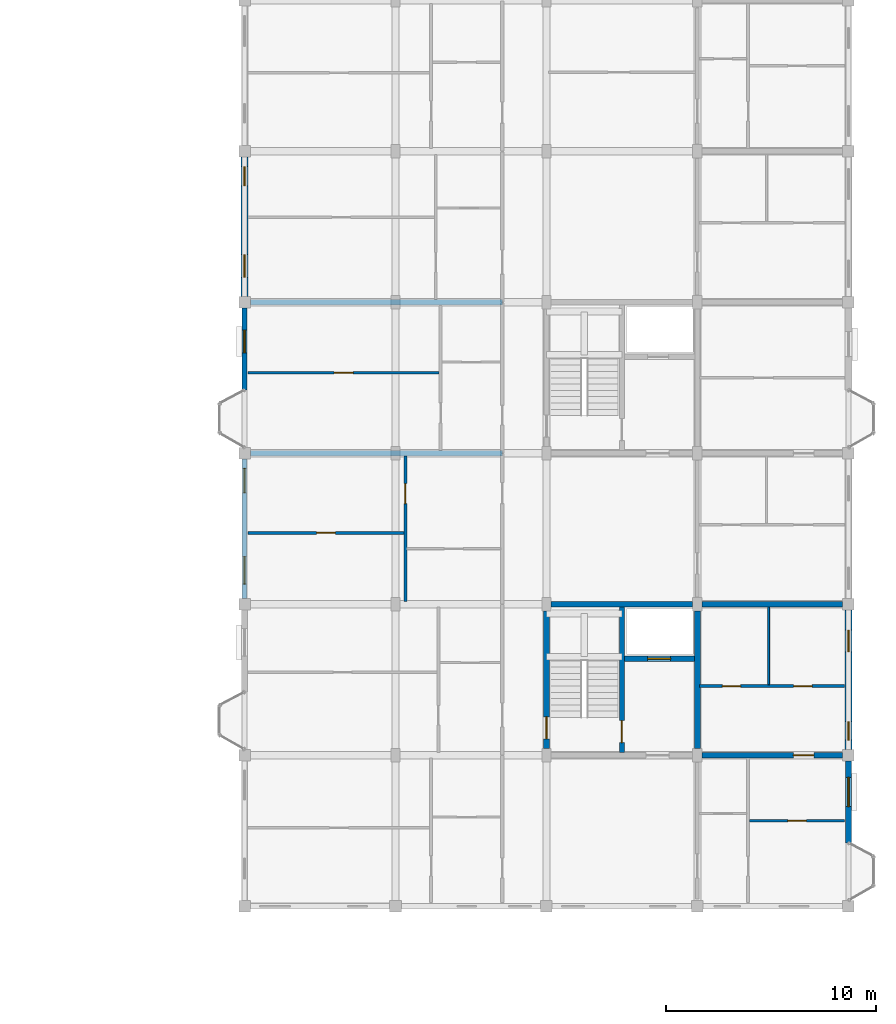
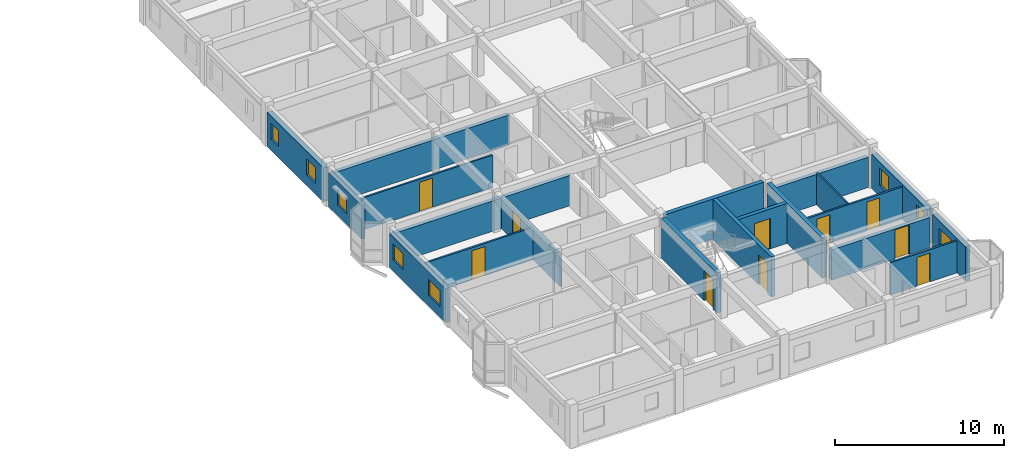
# One storey, part 61 of 77: 20 walls, 10 doors, 8 windows, 18 openings.
"""IFC4 building model written with IfcOpenShell, lengths in metres."""

import ifcopenshell
import ifcopenshell.guid

model = None  # the IFC model being written
_history = None  # IfcOwnerHistory: only IFC2X3 demands one
_inside = {}  # id of a spatial element -> (the spatial element, [elements in it])
_under = {}  # id of a project, library or spatial element -> (it, [spatial elements below it])
_declared = {}  # id of a project -> (the project, [libraries it declares])
_typed = {}  # id of a type object -> (the type object, [elements of that type])
_made_of = {}  # id of a material, layer set ... -> (it, [elements and type objects made of it])


def new_model(schema):
    """Start an empty IFC model of exactly this schema.

    Asked for "IFC4X3", IfcOpenShell would pick the latest addendum, in which some entities
    have other attributes; the version numbers below select the first issue.
    IFC2X3 requires an IfcOwnerHistory on every rooted entity: one is made here for all.
    """
    global model, _history
    if schema == "IFC4X3":
        model = ifcopenshell.file(schema_version=(4, 3, 0, 0))
    else:
        model = ifcopenshell.file(schema=schema)
    _inside.clear()
    _under.clear()
    _declared.clear()
    _typed.clear()
    _made_of.clear()
    _history = None
    if model.schema == "IFC2X3":
        org = make("IfcOrganization", Name="unknown")
        user = make(
            "IfcPersonAndOrganization",
            ThePerson=make("IfcPerson", FamilyName="unknown"),
            TheOrganization=org,
        )
        app = make(
            "IfcApplication",
            ApplicationDeveloper=org,
            Version="unknown",
            ApplicationFullName="unknown",
            ApplicationIdentifier="unknown",
        )
        _history = make(
            "IfcOwnerHistory",
            OwningUser=user,
            OwningApplication=app,
            ChangeAction="ADDED",
            CreationDate=0,
        )
    return model


def make(cls, **values):
    """One entity of the class cls with the attributes given. An attribute that is None is left unset."""
    return model.create_entity(
        cls, **{name: value for name, value in values.items() if value is not None}
    )


def rooted(cls, **values):
    """An entity with a GlobalId (a new one), such as an element, a storey or a relation."""
    return make(cls, GlobalId=ifcopenshell.guid.new(), OwnerHistory=_history, **values)


def si_unit(unit_type, name, prefix=None):
    """IfcSIUnit, for example si_unit("LENGTHUNIT", "METRE", prefix="MILLI")."""
    return make("IfcSIUnit", UnitType=unit_type, Prefix=prefix, Name=name)


def assignment(units):
    """IfcUnitAssignment: the units of a project."""
    return None if units is None else make("IfcUnitAssignment", Units=units)


def point(xyz):
    """IfcCartesianPoint."""
    return None if xyz is None else make("IfcCartesianPoint", Coordinates=xyz)


def direction(xyz):
    """IfcDirection."""
    return None if xyz is None else make("IfcDirection", DirectionRatios=xyz)


def frame(location, z_axis=None, x_axis=None):
    """IfcAxis2Placement3D, a coordinate frame: its origin and axes. An axis left out is left unset."""
    return make(
        "IfcAxis2Placement3D",
        Location=point(location),
        Axis=direction(z_axis),
        RefDirection=direction(x_axis),
    )


def frame_2d(location, x_axis=None):
    """IfcAxis2Placement2D, a coordinate frame in the plane: its origin and x axis."""
    return make(
        "IfcAxis2Placement2D", Location=point(location), RefDirection=direction(x_axis)
    )


def origin():
    """The frame at (0, 0, 0) with its axes left unset."""
    return frame((0.0, 0.0, 0.0))


def place(relative_to, where):
    """IfcLocalPlacement: puts the frame where relative to a parent placement (None: the world)."""
    return make(
        "IfcLocalPlacement", PlacementRelTo=relative_to, RelativePlacement=where
    )


def context(
    kind, dimensions, precision=None, world=None, true_north=None, identifier=None
):
    """IfcGeometricRepresentationContext, for example the 3D "Model" context."""
    return make(
        "IfcGeometricRepresentationContext",
        ContextIdentifier=identifier,
        ContextType=kind,
        CoordinateSpaceDimension=dimensions,
        Precision=precision,
        WorldCoordinateSystem=world,
        TrueNorth=true_north,
    )


def subcontext(parent, identifier, kind, view, scale=None):
    """IfcGeometricRepresentationSubContext, for example "Body" below "Model"."""
    return make(
        "IfcGeometricRepresentationSubContext",
        ContextIdentifier=identifier,
        ContextType=kind,
        ParentContext=parent,
        TargetScale=scale,
        TargetView=view,
    )


def project(units=None, contexts=None):
    """IfcProject with its units and contexts."""
    return rooted(
        "IfcProject",
        Name="project",
        RepresentationContexts=contexts,
        UnitsInContext=assignment(units),
    )


def spatial(cls, under=None, at=None, **own):
    """A site, building, storey or space (cls), placed at a placement, below another one or the project."""
    s = rooted(cls, ObjectPlacement=at, **own)
    if under is not None:
        _under.setdefault(under.id(), (under, []))[1].append(s)
    return s


def profile(cls, at=None, kind="AREA", **sizes):
    """A parametric profile (cls). Its sizes go by their IFC names, for example OverallWidth=200.0."""
    return make(cls, ProfileType=kind, Position=at, **sizes)


def rectangle(**sizes):
    """IfcRectangleProfileDef."""
    return profile("IfcRectangleProfileDef", **sizes)


def extrude(swept, where, along, depth):
    """IfcExtrudedAreaSolid: the profile swept, set in the frame where, extruded along a direction by depth."""
    return make(
        "IfcExtrudedAreaSolid",
        SweptArea=swept,
        Position=where,
        ExtrudedDirection=direction(along),
        Depth=depth,
    )


def shape(context_of_items, identifier, shape_type, items):
    """IfcShapeRepresentation: the items that make up one representation, for example the "Body"."""
    return make(
        "IfcShapeRepresentation",
        ContextOfItems=context_of_items,
        RepresentationIdentifier=identifier,
        RepresentationType=shape_type,
        Items=items,
    )


def material(Name=None, Category=None):
    """IfcMaterial."""
    return make("IfcMaterial", Name=Name, Category=Category)


def layer(
    of_material, thickness, ventilated=None, Name=None, Category=None, Priority=None
):
    """IfcMaterialLayer: one layer of a wall or slab, of a material (None: an air gap)."""
    return make(
        "IfcMaterialLayer",
        Material=of_material,
        LayerThickness=thickness,
        IsVentilated=ventilated,
        Name=Name,
        Category=Category,
        Priority=Priority,
    )


def layer_set(layers, Name=None):
    """IfcMaterialLayerSet."""
    return make("IfcMaterialLayerSet", MaterialLayers=layers, LayerSetName=Name)


def made_of(thing, what):
    """Note that an element or type object is made of a material, layer set ...; save() writes the relation."""
    if what is not None:
        _made_of.setdefault(what.id(), (what, []))[1].append(thing)
    return thing


def type_object(cls, material=None, **own):
    """A type object (cls), such as IfcWallType, which elements share."""
    return made_of(rooted(cls, **own), material)


def element(
    cls,
    number,
    at=None,
    inside=None,
    cuts=None,
    type_object=None,
    material=None,
    context=None,
    identifier="Body",
    shape_type=None,
    held_by="IfcProductDefinitionShape",
    body=None,
    shapes=None,
    **own,
):
    """One element of the class cls, such as IfcWall. Its Tag is "e" and its number.

    at: its placement. inside: the storey or other place that contains it. cuts: it is an
    opening in that element (IfcRelVoidsElement). A single representation is given by context,
    identifier, shape_type and body (its items); several are given by shapes. held_by: the class
    of the entity that holds the representations. save() writes the other relations.
    """
    e = rooted(cls, Tag="e%d" % number, ObjectPlacement=at, **own)
    if body is not None:
        shapes = [shape(context, identifier, shape_type, body)]
    if shapes is not None:
        e.Representation = make(held_by, Representations=shapes)
    if inside is not None:
        _inside.setdefault(inside.id(), (inside, []))[1].append(e)
    if cuts is not None:
        rooted(
            "IfcRelVoidsElement", RelatingBuildingElement=cuts, RelatedOpeningElement=e
        )
    if type_object is not None:
        _typed.setdefault(type_object.id(), (type_object, []))[1].append(e)
    return made_of(e, material)


def fill(opening, filler):
    """IfcRelFillsElement: the door or window that sits in an opening."""
    return rooted(
        "IfcRelFillsElement",
        RelatingOpeningElement=opening,
        RelatedBuildingElement=filler,
    )


def aggregate(whole, parts):
    """IfcRelAggregates: a whole, such as a stair, and the parts it consists of."""
    return rooted("IfcRelAggregates", RelatingObject=whole, RelatedObjects=parts)


def save(model, path):
    """Write the relations noted so far, then the file.

    IfcRelAggregates (storeys below a building ...), IfcRelContainedInSpatialStructure (elements
    in a storey), IfcRelDefinesByType, IfcRelAssociatesMaterial and IfcRelDeclares: one each for
    every whole, place, type object, material and project.
    """
    for whole, parts in _under.values():
        aggregate(whole, parts)
    for where, things in _inside.values():
        rooted(
            "IfcRelContainedInSpatialStructure",
            RelatedElements=things,
            RelatingStructure=where,
        )
    for kind, things in _typed.values():
        rooted("IfcRelDefinesByType", RelatedObjects=things, RelatingType=kind)
    for what, things in _made_of.values():
        rooted("IfcRelAssociatesMaterial", RelatedObjects=things, RelatingMaterial=what)
    for by, libraries in _declared.values():
        rooted("IfcRelDeclares", RelatingContext=by, RelatedDefinitions=libraries)
    model.write(path)


model = new_model("IFC4")

# Units and contexts
model_context = context("Model", 3, precision=1e-05, world=origin(), true_north=direction((0.0, 1.0)))
body_context = subcontext(model_context, "Body", "Model", "MODEL_VIEW")
ifc_project = project(units=[si_unit("LENGTHUNIT", "METRE"), si_unit("AREAUNIT", "SQUARE_METRE"), si_unit("VOLUMEUNIT", "CUBIC_METRE"), si_unit("PLANEANGLEUNIT", "RADIAN"), si_unit("MASSUNIT", "GRAM", prefix="KILO"), si_unit("THERMODYNAMICTEMPERATUREUNIT", "KELVIN"), si_unit("POWERUNIT", "WATT")], contexts=[model_context])

# Site, building, storey
site_placement = place(None, origin())
site = spatial("IfcSite", under=ifc_project, at=site_placement, CompositionType="ELEMENT")
building_placement = place(site_placement, origin())
building = spatial("IfcBuilding", under=site, at=building_placement, Name="Tavuni Mirador Residences", CompositionType="ELEMENT")
storey_placement = place(building_placement, frame((0.0, 0.0, 10.800048828125)))
storey = spatial("IfcBuildingStorey", under=building, at=storey_placement, Name="L03", CompositionType="ELEMENT", Elevation=10.800048828125)

# Wall, opening, door
ifc_material_1 = material(Name="Precast concrete C40/50", Category="concrete")
ifc_layer_1 = layer(ifc_material_1, 0.25, Name="Precast concrete C40/50", Category="concrete")
ifc_layer_set_1 = layer_set([ifc_layer_1], Name="Precast concrete C40/50")
wall_type_1 = type_object("IfcWallType", Name="WT-COR250", PredefinedType="SHEAR", material=ifc_layer_set_1)
wall_1_placement = place(storey_placement, frame((108.0, 93.739990234375, 0.0), z_axis=(0.0, 0.0, 1.0), x_axis=(0.0, 1.0, 0.0)))
wall_1 = element("IfcWall", 1, at=wall_1_placement, inside=storey, type_object=wall_type_1, Name="CWALL-C7-L03-MID", PredefinedType="SHEAR", context=body_context, shape_type="SweptSolid", body=[
    extrude(rectangle(XDim=6.919921875, YDim=0.25, at=frame_2d((3.4599609375, 0.0))), origin(), (0.0, 0.0, 1.0), 2.889892578125),
])
opening_1_placement = place(wall_1_placement, frame((0.4599609375, 0.0, 0.0)))
opening_1 = element("IfcOpeningElement", 2, at=opening_1_placement, cuts=wall_1, Name="Opening D-01", PredefinedType="OPENING", context=body_context, shape_type="SweptSolid", body=[
    extrude(rectangle(XDim=1.050048828125, YDim=2.14990234375, at=frame_2d((0.52490234375, 1.074951171875))), frame((0.0, 0.135009765625, 0.0), z_axis=(0.0, -1.0, 0.0), x_axis=(1.0, 0.0, 0.0)), (0.0, 0.0, 1.0), 0.27001953125),
])
ifc_material_2 = material(Name="Solid core iroko timber", Category="wood")
door_type_1 = type_object("IfcDoorType", Name="DT-ST1050", OperationType="NOTDEFINED", PredefinedType="DOOR", material=ifc_material_2)
door_1_placement = place(opening_1_placement, origin())
door_1 = element("IfcDoor", 3, at=door_1_placement, inside=storey, type_object=door_type_1, Name="DR-2279", OperationType="SINGLE_SWING_LEFT", OverallHeight=2.14990234375, OverallWidth=1.050048828125, PredefinedType="DOOR", context=body_context, shape_type="SweptSolid", body=[
    extrude(rectangle(XDim=1.050048828125, YDim=2.14990234375, at=frame_2d((0.52490234375, 1.074951171875))), frame((0.0, 0.02490234375, 0.0), z_axis=(0.0, -1.0, 0.0), x_axis=(1.0, 0.0, 0.0)), (0.0, 0.0, 1.0), 0.050048828125),
])
fill(opening_1, door_1)

wall_2_placement = place(storey_placement, frame((108.125, 98.199951171875, 0.0), z_axis=(0.0, 0.0, 1.0), x_axis=(1.0, 0.0, 0.0)))
wall_2 = element("IfcWall", 4, at=wall_2_placement, inside=storey, type_object=wall_type_1, Name="CWALL-C7-L03-SHF", PredefinedType="SHEAR", context=body_context, shape_type="SweptSolid", body=[
    extrude(rectangle(XDim=3.3349609375, YDim=0.25, at=frame_2d((1.66748046875, 0.0))), origin(), (0.0, 0.0, 1.0), 2.889892578125),
])
opening_2_placement = place(wall_2_placement, frame((1.10009765625, 0.0, 0.0)))
opening_2 = element("IfcOpeningElement", 5, at=opening_2_placement, cuts=wall_2, Name="Opening LD-01", PredefinedType="OPENING", context=body_context, shape_type="SweptSolid", body=[
    extrude(rectangle(XDim=1.10009765625, YDim=2.199951171875, at=frame_2d((0.550048828125, 1.10009765625))), frame((0.0, 0.135009765625, 0.0), z_axis=(0.0, -1.0, 0.0), x_axis=(1.0, 0.0, 0.0)), (0.0, 0.0, 1.0), 0.27001953125),
])
ifc_material_3 = material(Name="Structural steel S355", Category="steel")
door_type_2 = type_object("IfcDoorType", Name="DT-LD-FF", OperationType="SLIDING_TO_LEFT", PredefinedType="DOOR", material=ifc_material_3)
door_2_placement = place(opening_2_placement, origin())
door_2 = element("IfcDoor", 6, at=door_2_placement, inside=storey, type_object=door_type_2, Name="Lift landing door FL-D1 L03", OperationType="SLIDING_TO_LEFT", OverallHeight=2.199951171875, OverallWidth=1.10009765625, PredefinedType="DOOR", context=body_context, shape_type="SweptSolid", body=[
    extrude(rectangle(XDim=1.10009765625, YDim=2.199951171875, at=frame_2d((0.550048828125, 1.10009765625))), frame((0.0, 0.02490234375, 0.0), z_axis=(0.0, -1.0, 0.0), x_axis=(1.0, 0.0, 0.0)), (0.0, 0.0, 1.0), 0.050048828125),
])
fill(opening_2, door_2)

ifc_layer_2 = layer(ifc_material_1, 0.280029296875, Name="Precast concrete C40/50", Category="concrete")
ifc_layer_set_2 = layer_set([ifc_layer_2], Name="Precast concrete C40/50")
wall_type_2 = type_object("IfcWallType", Name="WT-COR280", PredefinedType="SHEAR", material=ifc_layer_set_2)
wall_3_placement = place(storey_placement, frame((104.39990234375, 93.925048828125, 0.0), z_axis=(0.0, 0.0, 1.0), x_axis=(0.0, 1.0, 0.0)))
wall_3 = element("IfcWall", 7, at=wall_3_placement, inside=storey, type_object=wall_type_2, Name="CWALL-C7-L03-W", PredefinedType="SHEAR", context=body_context, shape_type="SweptSolid", body=[
    extrude(rectangle(XDim=6.550048828125, YDim=0.280029296875, at=frame_2d((3.27490234375, 0.0))), origin(), (0.0, 0.0, 1.0), 2.889892578125),
])
opening_3_placement = place(wall_3_placement, frame((0.449951171875, 0.0, 0.0)))
opening_3 = element("IfcOpeningElement", 8, at=opening_3_placement, cuts=wall_3, Name="Opening D-01", PredefinedType="OPENING", context=body_context, shape_type="SweptSolid", body=[
    extrude(rectangle(XDim=1.050048828125, YDim=2.14990234375, at=frame_2d((0.52490234375, 1.074951171875))), frame((0.0, 0.14990234375, 0.0), z_axis=(0.0, -1.0, 0.0), x_axis=(1.0, 0.0, 0.0)), (0.0, 0.0, 1.0), 0.300048828125),
])
door_3_placement = place(opening_3_placement, origin())
door_3 = element("IfcDoor", 9, at=door_3_placement, inside=storey, type_object=door_type_1, Name="DR-2277", OperationType="SINGLE_SWING_RIGHT", OverallHeight=2.14990234375, OverallWidth=1.050048828125, PredefinedType="DOOR", context=body_context, shape_type="SweptSolid", body=[
    extrude(rectangle(XDim=1.050048828125, YDim=2.14990234375, at=frame_2d((0.52490234375, 1.074951171875))), frame((0.0, 0.02490234375, 0.0), z_axis=(0.0, -1.0, 0.0), x_axis=(1.0, 0.0, 0.0)), (0.0, 0.0, 1.0), 0.050048828125),
])
fill(opening_3, door_3)

# Walls
wall_4_placement = place(storey_placement, frame((104.625, 100.800048828125, 0.0), z_axis=(0.0, 0.0, 1.0), x_axis=(1.0, 0.0, 0.0)))
element("IfcWall", 10, at=wall_4_placement, inside=storey, type_object=wall_type_2, Name="CWALL-C7-L03-N", PredefinedType="SHEAR", context=body_context, shape_type="SweptSolid", body=[
    extrude(rectangle(XDim=6.75, YDim=0.280029296875, at=frame_2d((3.375, 0.0))), origin(), (0.0, 0.0, 1.0), 2.889892578125),
])
wall_5_placement = place(storey_placement, frame((111.60009765625, 93.925048828125, 0.0), z_axis=(0.0, 0.0, 1.0), x_axis=(0.0, 1.0, 0.0)))
element("IfcWall", 11, at=wall_5_placement, inside=storey, type_object=wall_type_2, Name="CWALL-C7-L03-E", PredefinedType="SHEAR", context=body_context, shape_type="SweptSolid", body=[
    extrude(rectangle(XDim=6.550048828125, YDim=0.280029296875, at=frame_2d((3.27490234375, 0.0))), origin(), (0.0, 0.0, 1.0), 2.889892578125),
])

# Wall, openings, windows
ifc_layer_3 = layer(ifc_material_1, 0.330078125, Name="Precast concrete C40/50", Category="concrete")
ifc_layer_set_3 = layer_set([ifc_layer_3], Name="Precast concrete C40/50")
wall_type_3 = type_object("IfcWallType", Name="WT-EXT-COR330", PredefinedType="SOLIDWALL", material=ifc_layer_set_3)
wall_6_placement = place(storey_placement, frame((90.0, 122.125, 0.0), z_axis=(0.0, 0.0, 1.0), x_axis=(0.0, -1.0, 0.0)))
wall_6 = element("IfcWall", 12, at=wall_6_placement, inside=storey, type_object=wall_type_3, Name="EW-BLK-D-L03-W04", PredefinedType="SOLIDWALL", context=body_context, shape_type="SweptSolid", body=[
    extrude(rectangle(XDim=6.64990234375, YDim=0.330078125, at=frame_2d((3.324951171875, 0.0))), origin(), (0.0, 0.0, 1.0), 2.4599609375),
])
opening_4_placement = place(wall_6_placement, frame((0.449951171875, 0.0, 0.780029296875)))
opening_4 = element("IfcOpeningElement", 13, at=opening_4_placement, cuts=wall_6, Name="Opening WN-02", PredefinedType="OPENING", context=body_context, shape_type="SweptSolid", body=[
    extrude(rectangle(XDim=0.919921875, YDim=1.14990234375, at=frame_2d((0.4599609375, 0.574951171875))), frame((0.0, 0.175048828125, 0.0), z_axis=(0.0, -1.0, 0.0), x_axis=(1.0, 0.0, 0.0)), (0.0, 0.0, 1.0), 0.35009765625),
])
opening_5_placement = place(wall_6_placement, frame((4.64990234375, 0.0, 0.780029296875)))
opening_5 = element("IfcOpeningElement", 14, at=opening_5_placement, cuts=wall_6, Name="Opening WN-04", PredefinedType="OPENING", context=body_context, shape_type="SweptSolid", body=[
    extrude(rectangle(XDim=1.080078125, YDim=1.14990234375, at=frame_2d((0.5400390625, 0.574951171875))), frame((0.0, 0.175048828125, 0.0), z_axis=(0.0, -1.0, 0.0), x_axis=(1.0, 0.0, 0.0)), (0.0, 0.0, 1.0), 0.35009765625),
])
ifc_material_4 = material(Name="Laminated solar-control glass", Category="glass")
window_type_1 = type_object("IfcWindowType", Name="WNT-02", PartitioningType="SINGLE_PANEL", PredefinedType="WINDOW", material=ifc_material_4)
window_1_placement = place(opening_4_placement, origin())
window_1 = element("IfcWindow", 15, at=window_1_placement, inside=storey, type_object=window_type_1, Name="WIN-1558", OverallHeight=1.14990234375, OverallWidth=0.919921875, PartitioningType="SINGLE_PANEL", PredefinedType="WINDOW", context=body_context, shape_type="SweptSolid", body=[
    extrude(rectangle(XDim=0.919921875, YDim=1.14990234375, at=frame_2d((0.4599609375, 0.574951171875))), frame((0.0, 0.030029296875, 0.0), z_axis=(0.0, -1.0, 0.0), x_axis=(1.0, 0.0, 0.0)), (0.0, 0.0, 1.0), 0.06005859375),
])
fill(opening_4, window_1)
window_type_2 = type_object("IfcWindowType", Name="WNT-04", PartitioningType="SINGLE_PANEL", PredefinedType="WINDOW", material=ifc_material_4)
window_2_placement = place(opening_5_placement, origin())
window_2 = element("IfcWindow", 16, at=window_2_placement, inside=storey, type_object=window_type_2, Name="WIN-1559", OverallHeight=1.14990234375, OverallWidth=1.080078125, PartitioningType="SINGLE_PANEL", PredefinedType="WINDOW", context=body_context, shape_type="SweptSolid", body=[
    extrude(rectangle(XDim=1.080078125, YDim=1.14990234375, at=frame_2d((0.5400390625, 0.574951171875))), frame((0.0, 0.030029296875, 0.0), z_axis=(0.0, -1.0, 0.0), x_axis=(1.0, 0.0, 0.0)), (0.0, 0.0, 1.0), 0.06005859375),
])
fill(opening_5, window_2)

# Wall, opening, window
ifc_material_5 = material(Name="Sgraffito lime-rendered precast concrete C40/50", Category="concrete")
ifc_layer_4 = layer(ifc_material_5, 0.2451171875, Name="Sgraffito lime-rendered precast concrete C40/50", Category="concrete")
ifc_layer_set_4 = layer_set([ifc_layer_4], Name="Sgraffito lime-rendered precast concrete C40/50")
wall_type_4 = type_object("IfcWallType", Name="WT-EXT-PC245", PredefinedType="SOLIDWALL", material=ifc_layer_set_4)
wall_7_placement = place(storey_placement, frame((90.0, 114.925048828125, 0.0), z_axis=(0.0, 0.0, 1.0), x_axis=(0.0, -1.0, 0.0)))
wall_7 = element("IfcWall", 17, at=wall_7_placement, inside=storey, type_object=wall_type_4, Name="EW-BLK-D-L03-W03", PredefinedType="SOLIDWALL", context=body_context, shape_type="SweptSolid", body=[
    extrude(rectangle(XDim=3.905029296875, YDim=0.2451171875, at=frame_2d((1.95263671875, 0.0))), origin(), (0.0, 0.0, 1.0), 2.4599609375),
])
opening_6_placement = place(wall_7_placement, frame((1.052490234375, 0.0, 0.780029296875)))
opening_6 = element("IfcOpeningElement", 18, at=opening_6_placement, cuts=wall_7, Name="Opening WN-04", PredefinedType="OPENING", context=body_context, shape_type="SweptSolid", body=[
    extrude(rectangle(XDim=1.080078125, YDim=1.14990234375, at=frame_2d((0.5400390625, 0.574951171875))), frame((0.0, 0.132568359375, 0.0), z_axis=(0.0, -1.0, 0.0), x_axis=(1.0, 0.0, 0.0)), (0.0, 0.0, 1.0), 0.26513671875),
])
window_3_placement = place(opening_6_placement, origin())
window_3 = element("IfcWindow", 19, at=window_3_placement, inside=storey, type_object=window_type_2, Name="WIN-1560", OverallHeight=1.14990234375, OverallWidth=1.080078125, PartitioningType="SINGLE_PANEL", PredefinedType="WINDOW", context=body_context, shape_type="SweptSolid", body=[
    extrude(rectangle(XDim=1.080078125, YDim=1.14990234375, at=frame_2d((0.5400390625, 0.574951171875))), frame((0.0, 0.030029296875, 0.0), z_axis=(0.0, -1.0, 0.0), x_axis=(1.0, 0.0, 0.0)), (0.0, 0.0, 1.0), 0.06005859375),
])
fill(opening_6, window_3)

# Wall, openings, windows
ifc_layer_5 = layer(ifc_material_5, 0.2548828125, Name="Sgraffito lime-rendered precast concrete C40/50", Category="concrete")
ifc_layer_set_5 = layer_set([ifc_layer_5], Name="Sgraffito lime-rendered precast concrete C40/50")
wall_type_5 = type_object("IfcWallType", Name="WT-EXT-PC255", PredefinedType="SOLIDWALL", material=ifc_layer_set_5)
wall_8_placement = place(storey_placement, frame((90.0, 107.72509765625, 0.0), z_axis=(0.0, 0.0, 1.0), x_axis=(0.0, -1.0, 0.0)))
wall_8 = element("IfcWall", 20, at=wall_8_placement, inside=storey, type_object=wall_type_5, Name="EW-BLK-D-L03-W02", PredefinedType="SOLIDWALL", context=body_context, shape_type="SweptSolid", body=[
    extrude(rectangle(XDim=6.650146484375, YDim=0.2548828125, at=frame_2d((3.3251953125, 0.0))), origin(), (0.0, 0.0, 1.0), 2.4599609375),
])
opening_7_placement = place(wall_8_placement, frame((0.449951171875, 0.0, 0.780029296875)))
opening_7 = element("IfcOpeningElement", 21, at=opening_7_placement, cuts=wall_8, Name="Opening WN-05", PredefinedType="OPENING", context=body_context, shape_type="SweptSolid", body=[
    extrude(rectangle(XDim=1.159912109375, YDim=1.14990234375, at=frame_2d((0.580078125, 0.574951171875))), frame((0.0, 0.137451171875, 0.0), z_axis=(0.0, -1.0, 0.0), x_axis=(1.0, 0.0, 0.0)), (0.0, 0.0, 1.0), 0.27490234375),
])
opening_8_placement = place(wall_8_placement, frame((4.64990234375, 0.0, 0.780029296875)))
opening_8 = element("IfcOpeningElement", 22, at=opening_8_placement, cuts=wall_8, Name="Opening WN-07", PredefinedType="OPENING", context=body_context, shape_type="SweptSolid", body=[
    extrude(rectangle(XDim=1.320068359375, YDim=1.14990234375, at=frame_2d((0.66015625, 0.574951171875))), frame((0.0, 0.137451171875, 0.0), z_axis=(0.0, -1.0, 0.0), x_axis=(1.0, 0.0, 0.0)), (0.0, 0.0, 1.0), 0.27490234375),
])
window_type_3 = type_object("IfcWindowType", Name="WNT-05", PartitioningType="SINGLE_PANEL", PredefinedType="WINDOW", material=ifc_material_4)
window_4_placement = place(opening_7_placement, origin())
window_4 = element("IfcWindow", 23, at=window_4_placement, inside=storey, type_object=window_type_3, Name="WIN-1561", OverallHeight=1.14990234375, OverallWidth=1.159912109375, PartitioningType="SINGLE_PANEL", PredefinedType="WINDOW", context=body_context, shape_type="SweptSolid", body=[
    extrude(rectangle(XDim=1.159912109375, YDim=1.14990234375, at=frame_2d((0.580078125, 0.574951171875))), frame((0.0, 0.030029296875, 0.0), z_axis=(0.0, -1.0, 0.0), x_axis=(1.0, 0.0, 0.0)), (0.0, 0.0, 1.0), 0.06005859375),
])
fill(opening_7, window_4)
window_type_4 = type_object("IfcWindowType", Name="WNT-07", PartitioningType="SINGLE_PANEL", PredefinedType="WINDOW", material=ifc_material_4)
window_5_placement = place(opening_8_placement, origin())
window_5 = element("IfcWindow", 24, at=window_5_placement, inside=storey, type_object=window_type_4, Name="WIN-1562", OverallHeight=1.14990234375, OverallWidth=1.320068359375, PartitioningType="SINGLE_PANEL", PredefinedType="WINDOW", context=body_context, shape_type="SweptSolid", body=[
    extrude(rectangle(XDim=1.320068359375, YDim=1.14990234375, at=frame_2d((0.66015625, 0.574951171875))), frame((0.0, 0.030029296875, 0.0), z_axis=(0.0, -1.0, 0.0), x_axis=(1.0, 0.0, 0.0)), (0.0, 0.0, 1.0), 0.06005859375),
])
fill(opening_8, window_5)

# Wall, opening, window
ifc_layer_6 = layer(ifc_material_5, 0.2900390625, Name="Sgraffito lime-rendered precast concrete C40/50", Category="concrete")
ifc_layer_set_6 = layer_set([ifc_layer_6], Name="Sgraffito lime-rendered precast concrete C40/50")
wall_type_6 = type_object("IfcWallType", Name="WT-EXT-PC290", PredefinedType="SOLIDWALL", material=ifc_layer_set_6)
wall_9_placement = place(storey_placement, frame((118.800048828125, 89.419921875, 0.0), z_axis=(0.0, 0.0, 1.0), x_axis=(0.0, 1.0, 0.0)))
wall_9 = element("IfcWall", 25, at=wall_9_placement, inside=storey, type_object=wall_type_6, Name="EW-BLK-D-L03-E00", PredefinedType="SOLIDWALL", context=body_context, shape_type="SweptSolid", body=[
    extrude(rectangle(XDim=3.905029296875, YDim=0.2900390625, at=frame_2d((1.95263671875, 0.0))), origin(), (0.0, 0.0, 1.0), 2.4599609375),
])
opening_9_placement = place(wall_9_placement, frame((1.7275390625, 0.0, 0.780029296875)))
opening_9 = element("IfcOpeningElement", 26, at=opening_9_placement, cuts=wall_9, Name="Opening WN-08", PredefinedType="OPENING", context=body_context, shape_type="SweptSolid", body=[
    extrude(rectangle(XDim=1.39990234375, YDim=1.14990234375, at=frame_2d((0.699951171875, 0.574951171875))), frame((0.0, 0.155029296875, 0.0), z_axis=(0.0, -1.0, 0.0), x_axis=(1.0, 0.0, 0.0)), (0.0, 0.0, 1.0), 0.31005859375),
])
window_type_5 = type_object("IfcWindowType", Name="WNT-08", PartitioningType="SINGLE_PANEL", PredefinedType="WINDOW", material=ifc_material_4)
window_6_placement = place(opening_9_placement, origin())
window_6 = element("IfcWindow", 27, at=window_6_placement, inside=storey, type_object=window_type_5, Name="WIN-1534", OverallHeight=1.14990234375, OverallWidth=1.39990234375, PartitioningType="SINGLE_PANEL", PredefinedType="WINDOW", context=body_context, shape_type="SweptSolid", body=[
    extrude(rectangle(XDim=1.39990234375, YDim=1.14990234375, at=frame_2d((0.699951171875, 0.574951171875))), frame((0.0, 0.030029296875, 0.0), z_axis=(0.0, -1.0, 0.0), x_axis=(1.0, 0.0, 0.0)), (0.0, 0.0, 1.0), 0.06005859375),
])
fill(opening_9, window_6)

# Wall, openings, windows
ifc_layer_7 = layer(ifc_material_5, 0.344970703125, Name="Sgraffito lime-rendered precast concrete C40/50", Category="concrete")
ifc_layer_set_7 = layer_set([ifc_layer_7], Name="Sgraffito lime-rendered precast concrete C40/50")
wall_type_7 = type_object("IfcWallType", Name="WT-EXT-PTY345", PredefinedType="SOLIDWALL", material=ifc_layer_set_7)
wall_10_placement = place(storey_placement, frame((118.800048828125, 93.875, 0.0), z_axis=(0.0, 0.0, 1.0), x_axis=(0.0, 1.0, 0.0)))
wall_10 = element("IfcWall", 28, at=wall_10_placement, inside=storey, type_object=wall_type_7, Name="EW-BLK-D-L03-E01", PredefinedType="SOLIDWALL", context=body_context, shape_type="SweptSolid", body=[
    extrude(rectangle(XDim=6.64990234375, YDim=0.344970703125, at=frame_2d((3.324951171875, 0.0))), origin(), (0.0, 0.0, 1.0), 2.4599609375),
])
opening_10_placement = place(wall_10_placement, frame((0.449951171875, 0.0, 0.780029296875)))
opening_10 = element("IfcOpeningElement", 29, at=opening_10_placement, cuts=wall_10, Name="Opening WN-09", PredefinedType="OPENING", context=body_context, shape_type="SweptSolid", body=[
    extrude(rectangle(XDim=0.8798828125, YDim=1.260009765625, at=frame_2d((0.43994140625, 0.6298828125))), frame((0.0, 0.1826171875, 0.0), z_axis=(0.0, -1.0, 0.0), x_axis=(1.0, 0.0, 0.0)), (0.0, 0.0, 1.0), 0.364990234375),
])
opening_11_placement = place(wall_10_placement, frame((4.64990234375, 0.0, 0.780029296875)))
opening_11 = element("IfcOpeningElement", 30, at=opening_11_placement, cuts=wall_10, Name="Opening WN-11", PredefinedType="OPENING", context=body_context, shape_type="SweptSolid", body=[
    extrude(rectangle(XDim=1.0400390625, YDim=1.260009765625, at=frame_2d((0.52001953125, 0.6298828125))), frame((0.0, 0.1826171875, 0.0), z_axis=(0.0, -1.0, 0.0), x_axis=(1.0, 0.0, 0.0)), (0.0, 0.0, 1.0), 0.364990234375),
])
window_type_6 = type_object("IfcWindowType", Name="WNT-09", PartitioningType="SINGLE_PANEL", PredefinedType="WINDOW", material=ifc_material_4)
window_7_placement = place(opening_10_placement, origin())
window_7 = element("IfcWindow", 31, at=window_7_placement, inside=storey, type_object=window_type_6, Name="WIN-1535", OverallHeight=1.260009765625, OverallWidth=0.8798828125, PartitioningType="SINGLE_PANEL", PredefinedType="WINDOW", context=body_context, shape_type="SweptSolid", body=[
    extrude(rectangle(XDim=0.8798828125, YDim=1.260009765625, at=frame_2d((0.43994140625, 0.6298828125))), frame((0.0, 0.030029296875, 0.0), z_axis=(0.0, -1.0, 0.0), x_axis=(1.0, 0.0, 0.0)), (0.0, 0.0, 1.0), 0.06005859375),
])
fill(opening_10, window_7)
window_type_7 = type_object("IfcWindowType", Name="WNT-11", PartitioningType="SINGLE_PANEL", PredefinedType="WINDOW", material=ifc_material_4)
window_8_placement = place(opening_11_placement, origin())
window_8 = element("IfcWindow", 32, at=window_8_placement, inside=storey, type_object=window_type_7, Name="WIN-1536", OverallHeight=1.260009765625, OverallWidth=1.0400390625, PartitioningType="SINGLE_PANEL", PredefinedType="WINDOW", context=body_context, shape_type="SweptSolid", body=[
    extrude(rectangle(XDim=1.0400390625, YDim=1.260009765625, at=frame_2d((0.52001953125, 0.6298828125))), frame((0.0, 0.030029296875, 0.0), z_axis=(0.0, -1.0, 0.0), x_axis=(1.0, 0.0, 0.0)), (0.0, 0.0, 1.0), 0.06005859375),
])
fill(opening_11, window_8)

# Wall
ifc_material_6 = material(Name="Acoustic gypsum and concrete block partition", Category="concrete")
ifc_layer_8 = layer(ifc_material_6, 0.094970703125, Name="Acoustic gypsum and concrete block partition", Category="concrete")
ifc_layer_set_8 = layer_set([ifc_layer_8], Name="Acoustic gypsum and concrete block partition")
wall_type_8 = type_object("IfcWallType", Name="WT-PART095", PredefinedType="PARTITIONING", material=ifc_layer_set_8)
wall_11_placement = place(storey_placement, frame((115.0, 96.969970703125, 0.0), z_axis=(0.0, 0.0, 1.0), x_axis=(0.0, 1.0, 0.0)))
element("IfcWall", 33, at=wall_11_placement, inside=storey, type_object=wall_type_8, Name="PW-BLK-D-L03-PF01-V", PredefinedType="PARTITIONING", context=body_context, shape_type="SweptSolid", body=[
    extrude(rectangle(XDim=3.68994140625, YDim=0.094970703125, at=frame_2d((1.844970703125, 0.0))), origin(), (0.0, 0.0, 1.0), 2.324951171875),
])

# Wall, opening, door
ifc_layer_9 = layer(ifc_material_6, 0.114990234375, Name="Acoustic gypsum and concrete block partition", Category="concrete")
ifc_layer_set_9 = layer_set([ifc_layer_9], Name="Acoustic gypsum and concrete block partition")
wall_type_9 = type_object("IfcWallType", Name="WT-PART115", PredefinedType="PARTITIONING", material=ifc_layer_set_9)
wall_12_placement = place(storey_placement, frame((90.175048828125, 111.85009765625, 0.0), z_axis=(0.0, 0.0, 1.0), x_axis=(1.0, 0.0, 0.0)))
wall_12 = element("IfcWall", 34, at=wall_12_placement, inside=storey, type_object=wall_type_9, Name="PW-BLK-D-L03-W03-OUT", PredefinedType="PARTITIONING", context=body_context, shape_type="SweptSolid", body=[
    extrude(rectangle(XDim=9.10498046875, YDim=0.114990234375, at=frame_2d((4.552490234375, 0.0))), origin(), (0.0, 0.0, 1.0), 2.324951171875),
])
opening_12_placement = place(wall_12_placement, frame((4.1025390625, 0.0, 0.0)))
opening_12 = element("IfcOpeningElement", 35, at=opening_12_placement, cuts=wall_12, Name="Opening D-07", PredefinedType="OPENING", context=body_context, shape_type="SweptSolid", body=[
    extrude(rectangle(XDim=0.89990234375, YDim=2.10009765625, at=frame_2d((0.449951171875, 1.050048828125))), frame((0.0, 0.0673828125, 0.0), z_axis=(0.0, -1.0, 0.0), x_axis=(1.0, 0.0, 0.0)), (0.0, 0.0, 1.0), 0.135009765625),
])
door_type_3 = type_object("IfcDoorType", Name="DT-BED900", OperationType="NOTDEFINED", PredefinedType="DOOR", material=ifc_material_2)
door_4_placement = place(opening_12_placement, origin())
door_4 = element("IfcDoor", 36, at=door_4_placement, inside=storey, type_object=door_type_3, Name="DR-4408", OperationType="SINGLE_SWING_LEFT", OverallHeight=2.10009765625, OverallWidth=0.89990234375, PredefinedType="DOOR", context=body_context, shape_type="SweptSolid", body=[
    extrude(rectangle(XDim=0.89990234375, YDim=2.10009765625, at=frame_2d((0.449951171875, 1.050048828125))), frame((0.0, 0.02490234375, 0.0), z_axis=(0.0, -1.0, 0.0), x_axis=(1.0, 0.0, 0.0)), (0.0, 0.0, 1.0), 0.050048828125),
])
fill(opening_12, door_4)

ifc_layer_10 = layer(ifc_material_6, 0.125, Name="Acoustic gypsum and concrete block partition", Category="concrete")
ifc_layer_set_10 = layer_set([ifc_layer_10], Name="Acoustic gypsum and concrete block partition")
wall_type_10 = type_object("IfcWallType", Name="WT-PART125", PredefinedType="PARTITIONING", material=ifc_layer_set_10)
wall_13_placement = place(storey_placement, frame((114.090087890625, 90.47998046875, 0.0), z_axis=(0.0, 0.0, 1.0), x_axis=(1.0, 0.0, 0.0)))
wall_13 = element("IfcWall", 37, at=wall_13_placement, inside=storey, type_object=wall_type_10, Name="PW-BLK-D-L03-E00-OUT", PredefinedType="PARTITIONING", context=body_context, shape_type="SweptSolid", body=[
    extrude(rectangle(XDim=4.534912109375, YDim=0.125, at=frame_2d((2.267578125, 0.0))), origin(), (0.0, 0.0, 1.0), 2.324951171875),
])
opening_13_placement = place(wall_13_placement, frame((1.827392578125, 0.0, 0.0)))
opening_13 = element("IfcOpeningElement", 38, at=opening_13_placement, cuts=wall_13, Name="Opening D-08", PredefinedType="OPENING", context=body_context, shape_type="SweptSolid", body=[
    extrude(rectangle(XDim=0.8798828125, YDim=2.080078125, at=frame_2d((0.43994140625, 1.0400390625))), frame((0.0, 0.072509765625, 0.0), z_axis=(0.0, -1.0, 0.0), x_axis=(1.0, 0.0, 0.0)), (0.0, 0.0, 1.0), 0.14501953125),
])
door_type_4 = type_object("IfcDoorType", Name="DT-BED880", OperationType="NOTDEFINED", PredefinedType="DOOR", material=ifc_material_2)
door_5_placement = place(opening_13_placement, origin())
door_5 = element("IfcDoor", 39, at=door_5_placement, inside=storey, type_object=door_type_4, Name="DR-4395", OperationType="SINGLE_SWING_RIGHT", OverallHeight=2.080078125, OverallWidth=0.8798828125, PredefinedType="DOOR", context=body_context, shape_type="SweptSolid", body=[
    extrude(rectangle(XDim=0.8798828125, YDim=2.080078125, at=frame_2d((0.43994140625, 1.0400390625))), frame((0.0, 0.02490234375, 0.0), z_axis=(0.0, -1.0, 0.0), x_axis=(1.0, 0.0, 0.0)), (0.0, 0.0, 1.0), 0.050048828125),
])
fill(opening_13, door_5)

# Wall, openings, doors
wall_14_placement = place(storey_placement, frame((111.68994140625, 96.89990234375, 0.0), z_axis=(0.0, 0.0, 1.0), x_axis=(1.0, 0.0, 0.0)))
wall_14 = element("IfcWall", 40, at=wall_14_placement, inside=storey, type_object=wall_type_10, Name="PW-BLK-D-L03-PF01-H", PredefinedType="PARTITIONING", context=body_context, shape_type="SweptSolid", body=[
    extrude(rectangle(XDim=6.93505859375, YDim=0.125, at=frame_2d((3.467529296875, 0.0))), origin(), (0.0, 0.0, 1.0), 2.324951171875),
])
opening_14_placement = place(wall_14_placement, frame((1.10009765625, 0.0, 0.0)))
opening_14 = element("IfcOpeningElement", 41, at=opening_14_placement, cuts=wall_14, Name="Opening D-10", PredefinedType="OPENING", context=body_context, shape_type="SweptSolid", body=[
    extrude(rectangle(XDim=0.8701171875, YDim=2.050048828125, at=frame_2d((0.43505859375, 1.02490234375))), frame((0.0, 0.072509765625, 0.0), z_axis=(0.0, -1.0, 0.0), x_axis=(1.0, 0.0, 0.0)), (0.0, 0.0, 1.0), 0.14501953125),
])
opening_15_placement = place(wall_14_placement, frame((4.5, 0.0, 0.0)))
opening_15 = element("IfcOpeningElement", 42, at=opening_15_placement, cuts=wall_14, Name="Opening D-08", PredefinedType="OPENING", context=body_context, shape_type="SweptSolid", body=[
    extrude(rectangle(XDim=0.8798828125, YDim=2.080078125, at=frame_2d((0.43994140625, 1.0400390625))), frame((0.0, 0.072509765625, 0.0), z_axis=(0.0, -1.0, 0.0), x_axis=(1.0, 0.0, 0.0)), (0.0, 0.0, 1.0), 0.14501953125),
])
door_6_placement = place(opening_15_placement, origin())
door_6 = element("IfcDoor", 43, at=door_6_placement, inside=storey, type_object=door_type_4, Name="DR-4402", OperationType="SINGLE_SWING_RIGHT", OverallHeight=2.080078125, OverallWidth=0.8798828125, PredefinedType="DOOR", context=body_context, shape_type="SweptSolid", body=[
    extrude(rectangle(XDim=0.8798828125, YDim=2.080078125, at=frame_2d((0.43994140625, 1.0400390625))), frame((0.0, 0.02490234375, 0.0), z_axis=(0.0, -1.0, 0.0), x_axis=(1.0, 0.0, 0.0)), (0.0, 0.0, 1.0), 0.050048828125),
])
fill(opening_15, door_6)
door_type_5 = type_object("IfcDoorType", Name="DT-WC870", OperationType="NOTDEFINED", PredefinedType="DOOR", material=ifc_material_2)
door_7_placement = place(opening_14_placement, origin())
door_7 = element("IfcDoor", 44, at=door_7_placement, inside=storey, type_object=door_type_5, Name="DR-4401", OperationType="SINGLE_SWING_LEFT", OverallHeight=2.050048828125, OverallWidth=0.8701171875, PredefinedType="DOOR", context=body_context, shape_type="SweptSolid", body=[
    extrude(rectangle(XDim=0.8701171875, YDim=2.050048828125, at=frame_2d((0.43505859375, 1.02490234375))), frame((0.0, 0.02490234375, 0.0), z_axis=(0.0, -1.0, 0.0), x_axis=(1.0, 0.0, 0.0)), (0.0, 0.0, 1.0), 0.050048828125),
])
fill(opening_14, door_7)

# Wall, opening, door
wall_15_placement = place(storey_placement, frame((90.175048828125, 104.199951171875, 0.0), z_axis=(0.0, 0.0, 1.0), x_axis=(1.0, 0.0, 0.0)))
wall_15 = element("IfcWall", 45, at=wall_15_placement, inside=storey, type_object=wall_type_10, Name="PW-BLK-D-L03-W02-OUT", PredefinedType="PARTITIONING", context=body_context, shape_type="SweptSolid", body=[
    extrude(rectangle(XDim=7.425048828125, YDim=0.125, at=frame_2d((3.71240234375, 0.0))), origin(), (0.0, 0.0, 1.0), 2.324951171875),
])
opening_16_placement = place(wall_15_placement, frame((3.262451171875, 0.0, 0.0)))
opening_16 = element("IfcOpeningElement", 46, at=opening_16_placement, cuts=wall_15, Name="Opening D-07", PredefinedType="OPENING", context=body_context, shape_type="SweptSolid", body=[
    extrude(rectangle(XDim=0.89990234375, YDim=2.10009765625, at=frame_2d((0.449951171875, 1.050048828125))), frame((0.0, 0.072509765625, 0.0), z_axis=(0.0, -1.0, 0.0), x_axis=(1.0, 0.0, 0.0)), (0.0, 0.0, 1.0), 0.14501953125),
])
door_8_placement = place(opening_16_placement, origin())
door_8 = element("IfcDoor", 47, at=door_8_placement, inside=storey, type_object=door_type_3, Name="DR-4403", OperationType="SINGLE_SWING_LEFT", OverallHeight=2.10009765625, OverallWidth=0.89990234375, PredefinedType="DOOR", context=body_context, shape_type="SweptSolid", body=[
    extrude(rectangle(XDim=0.89990234375, YDim=2.10009765625, at=frame_2d((0.449951171875, 1.050048828125))), frame((0.0, 0.02490234375, 0.0), z_axis=(0.0, -1.0, 0.0), x_axis=(1.0, 0.0, 0.0)), (0.0, 0.0, 1.0), 0.050048828125),
])
fill(opening_16, door_8)

ifc_layer_11 = layer(ifc_material_6, 0.14990234375, Name="Acoustic gypsum and concrete block partition", Category="concrete")
ifc_layer_set_11 = layer_set([ifc_layer_11], Name="Acoustic gypsum and concrete block partition")
wall_type_11 = type_object("IfcWallType", Name="WT-PART150", PredefinedType="PARTITIONING", material=ifc_layer_set_11)
wall_16_placement = place(storey_placement, frame((97.669921875, 100.93994140625, 0.0), z_axis=(0.0, 0.0, 1.0), x_axis=(0.0, 1.0, 0.0)))
wall_16 = element("IfcWall", 48, at=wall_16_placement, inside=storey, type_object=wall_type_11, Name="PW-BLK-D-L03-W02-MID", PredefinedType="PARTITIONING", context=body_context, shape_type="SweptSolid", body=[
    extrude(rectangle(XDim=6.920166015625, YDim=0.14990234375, at=frame_2d((3.4599609375, 0.0))), origin(), (0.0, 0.0, 1.0), 2.324951171875),
])
opening_17_placement = place(wall_16_placement, frame((4.659912109375, 0.0, 0.0)))
opening_17 = element("IfcOpeningElement", 49, at=opening_17_placement, cuts=wall_16, Name="Opening D-05", PredefinedType="OPENING", context=body_context, shape_type="SweptSolid", body=[
    extrude(rectangle(XDim=0.949951171875, YDim=2.10009765625, at=frame_2d((0.47509765625, 1.050048828125))), frame((0.0, 0.0849609375, 0.0), z_axis=(0.0, -1.0, 0.0), x_axis=(1.0, 0.0, 0.0)), (0.0, 0.0, 1.0), 0.169921875),
])
door_type_6 = type_object("IfcDoorType", Name="DT-INT950", OperationType="NOTDEFINED", PredefinedType="DOOR", material=ifc_material_2)
door_9_placement = place(opening_17_placement, origin())
door_9 = element("IfcDoor", 50, at=door_9_placement, inside=storey, type_object=door_type_6, Name="DR-4405", OperationType="SINGLE_SWING_LEFT", OverallHeight=2.10009765625, OverallWidth=0.949951171875, PredefinedType="DOOR", context=body_context, shape_type="SweptSolid", body=[
    extrude(rectangle(XDim=0.949951171875, YDim=2.10009765625, at=frame_2d((0.47509765625, 1.050048828125))), frame((0.0, 0.02490234375, 0.0), z_axis=(0.0, -1.0, 0.0), x_axis=(1.0, 0.0, 0.0)), (0.0, 0.0, 1.0), 0.050048828125),
])
fill(opening_17, door_9)

ifc_layer_12 = layer(ifc_material_1, 0.264892578125, Name="Precast concrete C40/50", Category="concrete")
ifc_layer_set_12 = layer_set([ifc_layer_12], Name="Precast concrete C40/50")
wall_type_12 = type_object("IfcWallType", Name="WT-XW265", PredefinedType="SOLIDWALL", material=ifc_layer_set_12)
wall_17_placement = place(storey_placement, frame((111.824951171875, 93.60009765625, 0.0), z_axis=(0.0, 0.0, 1.0), x_axis=(1.0, 0.0, 0.0)))
wall_17 = element("IfcWall", 51, at=wall_17_placement, inside=storey, type_object=wall_type_12, Name="XW-BLK-D-L03-E-01", PredefinedType="SOLIDWALL", context=body_context, shape_type="SweptSolid", body=[
    extrude(rectangle(XDim=6.699951171875, YDim=0.264892578125, at=frame_2d((3.35009765625, 0.0))), origin(), (0.0, 0.0, 1.0), 2.18994140625),
])
opening_18_placement = place(wall_17_placement, frame((4.35009765625, 0.0, 0.0)))
opening_18 = element("IfcOpeningElement", 52, at=opening_18_placement, cuts=wall_17, Name="Opening D-04", PredefinedType="OPENING", context=body_context, shape_type="SweptSolid", body=[
    extrude(rectangle(XDim=0.97998046875, YDim=2.1201171875, at=frame_2d((0.489990234375, 1.06005859375))), frame((0.0, 0.142578125, 0.0), z_axis=(0.0, -1.0, 0.0), x_axis=(1.0, 0.0, 0.0)), (0.0, 0.0, 1.0), 0.284912109375),
])
door_type_7 = type_object("IfcDoorType", Name="DT-FD60-980", OperationType="NOTDEFINED", PredefinedType="DOOR", material=ifc_material_2)
door_10_placement = place(opening_18_placement, origin())
door_10 = element("IfcDoor", 53, at=door_10_placement, inside=storey, type_object=door_type_7, Name="DR-4764", OperationType="SINGLE_SWING_LEFT", OverallHeight=2.1201171875, OverallWidth=0.97998046875, PredefinedType="DOOR", context=body_context, shape_type="SweptSolid", body=[
    extrude(rectangle(XDim=0.97998046875, YDim=2.1201171875, at=frame_2d((0.489990234375, 1.06005859375))), frame((0.0, 0.02490234375, 0.0), z_axis=(0.0, -1.0, 0.0), x_axis=(1.0, 0.0, 0.0)), (0.0, 0.0, 1.0), 0.050048828125),
])
fill(opening_18, door_10)

# Walls
wall_18_placement = place(storey_placement, frame((111.824951171875, 100.800048828125, 0.0), z_axis=(0.0, 0.0, 1.0), x_axis=(1.0, 0.0, 0.0)))
element("IfcWall", 54, at=wall_18_placement, inside=storey, type_object=wall_type_12, Name="XW-BLK-D-L03-E-02", PredefinedType="SOLIDWALL", context=body_context, shape_type="SweptSolid", body=[
    extrude(rectangle(XDim=6.699951171875, YDim=0.264892578125, at=frame_2d((3.35009765625, 0.0))), origin(), (0.0, 0.0, 1.0), 2.18994140625),
])
for number, where, z_axis, x_axis, name in (
    (55, (90.27490234375, 108.0, 0.0), (0.0, 0.0, 1.0), (1.0, 0.0, 0.0), "XW-BLK-D-L03-W-03"),
    (56, (90.27490234375, 115.199951171875, 0.0), (0.0, 0.0, 1.0), (1.0, 0.0, 0.0), "XW-BLK-D-L03-W-04"),
):
    element("IfcWall", number, at=place(storey_placement, frame(where, z_axis=z_axis, x_axis=x_axis)), inside=storey, type_object=wall_type_12, Name=name, PredefinedType="SOLIDWALL", context=body_context, shape_type="SweptSolid", body=[
        extrude(rectangle(XDim=12.025146484375, YDim=0.264892578125, at=frame_2d((6.0126953125, 0.0))), origin(), (0.0, 0.0, 1.0), 2.18994140625),
    ])

save(model, "model.ifc")
